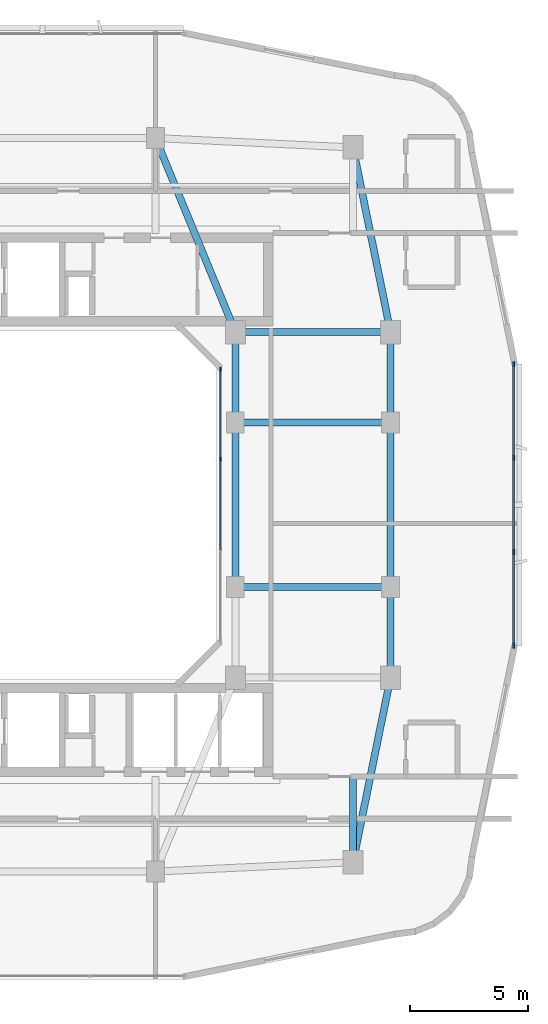
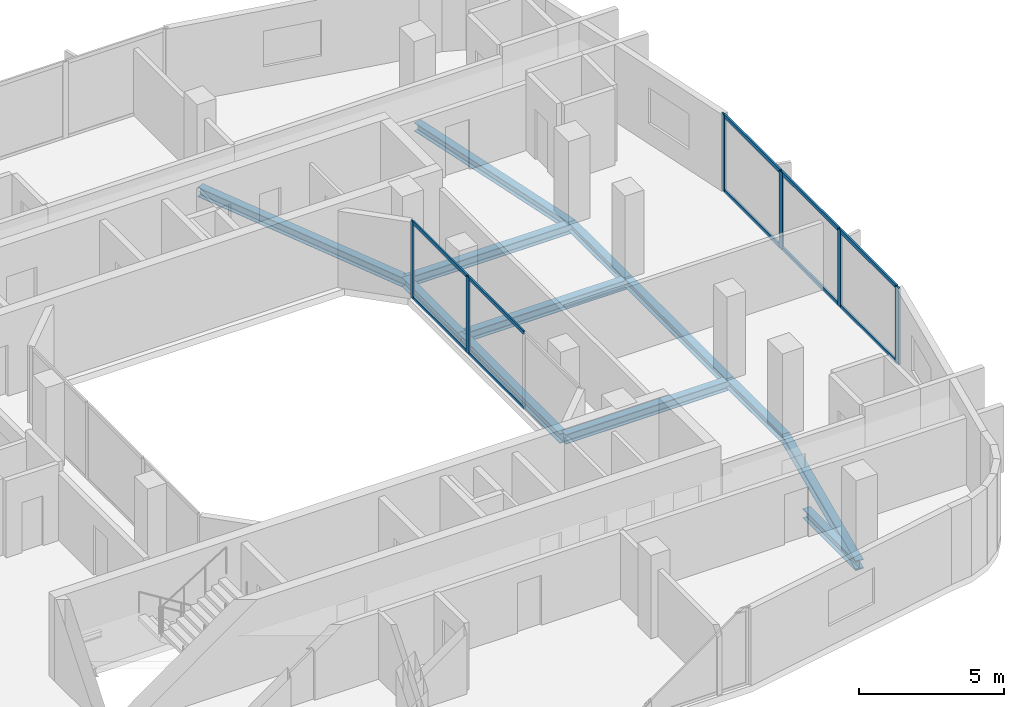
# One storey, part 4 of 14: 16 members, 12 beams, 2 elements without a shape of their own.
"""IFC4 building model written with IfcOpenShell, lengths in metres."""

from ifc_helpers import new_model, si_unit, derived_unit, direction, frame, origin, origin_2d, place, context, subcontext, project, spatial, rectangle, i_section, extrude, material, layer, layer_set, material_profile, profile_set, type_object, element, aggregate, save


model = new_model("IFC4")

# Units and contexts
model_context = context("Model", 3, precision=1e-05, world=origin(), true_north=direction((0.0, 1.0)))
body_context = subcontext(model_context, "Body", "Model", "MODEL_VIEW")
ifc_project = project(units=[si_unit("LENGTHUNIT", "METRE"), si_unit("AREAUNIT", "SQUARE_METRE"), si_unit("VOLUMEUNIT", "CUBIC_METRE"), si_unit("PLANEANGLEUNIT", "RADIAN"), si_unit("MASSUNIT", "GRAM", prefix="KILO"), derived_unit("THERMALTRANSMITTANCEUNIT", [(si_unit("POWERUNIT", "WATT"), 1), (si_unit("LENGTHUNIT", "METRE"), -2), (si_unit("THERMODYNAMICTEMPERATUREUNIT", "KELVIN"), -1)])], contexts=[model_context])

# Site, building, storey
site_placement = place(None, origin())
site = spatial("IfcSite", under=ifc_project, at=site_placement, CompositionType="ELEMENT")
building_placement = place(site_placement, origin())
building = spatial("IfcBuilding", under=site, at=building_placement, Name="Kivonza Crest Hotel", CompositionType="ELEMENT")
storey_placement = place(building_placement, frame((0.0, 0.0, 145.0)))
storey = spatial("IfcBuildingStorey", under=building, at=storey_placement, Name="L39", CompositionType="ELEMENT", Elevation=145.0)

# Beams
ifc_material_1 = material(Name="Steel S355", Category="steel")
ifc_material_profile_1 = material_profile(ifc_material_1, i_section(OverallWidth=0.300048828125, OverallDepth=0.360107421875, WebThickness=0.012451171875, FlangeThickness=0.0224609375, FilletRadius=0.027099609375, at=origin_2d()), Name="HEB 360")
ifc_profile_set_1 = profile_set([ifc_material_profile_1], Name="Steel S355")
beam_type_1 = type_object("IfcBeamType", Name="BM-HEB360", PredefinedType="SPANDREL", material=ifc_profile_set_1)
beam_1_placement = place(storey_placement, frame((34.199951171875, 9.800048828125, -0.4599609375), z_axis=(0.199730733965, 0.979850822273, 0.0), x_axis=(-0.979850822273, 0.199730733965, 0.0)))
element("IfcBeam", 1, at=beam_1_placement, inside=storey, type_object=beam_type_1, Name="Tower T1 L39 perimeter spandrel SE-PSE", PredefinedType="SPANDREL", context=body_context, shape_type="SweptSolid", body=[
    extrude(i_section(OverallWidth=0.300048828125, OverallDepth=0.360107421875, WebThickness=0.012451171875, FlangeThickness=0.0224609375, FilletRadius=0.027099609375, at=origin_2d()), origin(), (0.0, 0.0, 1.0), 8.01123046875),
])
beam_2_placement = place(storey_placement, frame((35.800048828125, 17.64990234375, -0.4599609375), z_axis=(0.0, 1.0, 0.0), x_axis=(-1.0, 0.0, 0.0)))
element("IfcBeam", 2, at=beam_2_placement, inside=storey, type_object=beam_type_1, Name="Tower T1 L39 perimeter spandrel PSE-E1", PredefinedType="SPANDREL", context=body_context, shape_type="SweptSolid", body=[
    extrude(i_section(OverallWidth=0.300048828125, OverallDepth=0.360107421875, WebThickness=0.012451171875, FlangeThickness=0.0224609375, FilletRadius=0.027099609375, at=origin_2d()), origin(), (0.0, 0.0, 1.0), 3.85009765625),
])
beam_3_placement = place(storey_placement, frame((35.800048828125, 21.5, -0.4599609375), z_axis=(0.0, 1.0, 0.0), x_axis=(-1.0, 0.0, 0.0)))
element("IfcBeam", 3, at=beam_3_placement, inside=storey, type_object=beam_type_1, Name="Tower T1 L39 perimeter spandrel E1-E2", PredefinedType="SPANDREL", context=body_context, shape_type="SweptSolid", body=[
    extrude(i_section(OverallWidth=0.300048828125, OverallDepth=0.360107421875, WebThickness=0.012451171875, FlangeThickness=0.0224609375, FilletRadius=0.027099609375, at=origin_2d()), origin(), (0.0, 0.0, 1.0), 7.0),
])
beam_4_placement = place(storey_placement, frame((35.800048828125, 28.5, -0.4599609375), z_axis=(0.0, 1.0, 0.0), x_axis=(-1.0, 0.0, 0.0)))
element("IfcBeam", 4, at=beam_4_placement, inside=storey, type_object=beam_type_1, Name="Tower T1 L39 perimeter spandrel E2-PNE", PredefinedType="SPANDREL", context=body_context, shape_type="SweptSolid", body=[
    extrude(i_section(OverallWidth=0.300048828125, OverallDepth=0.360107421875, WebThickness=0.012451171875, FlangeThickness=0.0224609375, FilletRadius=0.027099609375, at=origin_2d()), origin(), (0.0, 0.0, 1.0), 3.85009765625),
])
beam_5_placement = place(storey_placement, frame((35.800048828125, 32.35009765625, -0.4599609375), z_axis=(-0.199730733965, 0.979850822273, 0.0), x_axis=(-0.979850822273, -0.199730733965, 0.0)))
element("IfcBeam", 5, at=beam_5_placement, inside=storey, type_object=beam_type_1, Name="Tower T1 L39 perimeter spandrel PNE-NE", PredefinedType="SPANDREL", context=body_context, shape_type="SweptSolid", body=[
    extrude(i_section(OverallWidth=0.300048828125, OverallDepth=0.360107421875, WebThickness=0.012451171875, FlangeThickness=0.0224609375, FilletRadius=0.027099609375, at=origin_2d()), origin(), (0.0, 0.0, 1.0), 8.01123046875),
])
ifc_material_profile_2 = material_profile(ifc_material_1, i_section(OverallWidth=0.300048828125, OverallDepth=0.39990234375, WebThickness=0.013427734375, FlangeThickness=0.02392578125, FilletRadius=0.027099609375, at=origin_2d()), Name="HEB 400")
ifc_profile_set_2 = profile_set([ifc_material_profile_2], Name="Steel S355")
beam_type_2 = type_object("IfcBeamType", Name="BM-HEB400", PredefinedType="BEAM", material=ifc_profile_set_2)
beam_6_placement = place(storey_placement, frame((25.800048828125, 40.60009765625, -0.47998046875), z_axis=(0.381022260404, -0.924565864109, 0.0), x_axis=(0.924565864109, 0.381022260404, 0.0)))
element("IfcBeam", 6, at=beam_6_placement, inside=storey, type_object=beam_type_2, Name="Tower T1 L39 primary girder N1-TNE", PredefinedType="BEAM", context=body_context, shape_type="SweptSolid", body=[
    extrude(i_section(OverallWidth=0.300048828125, OverallDepth=0.39990234375, WebThickness=0.013427734375, FlangeThickness=0.02392578125, FilletRadius=0.027099609375, at=origin_2d()), origin(), (0.0, 0.0, 1.0), 8.923095703125),
])
beam_7_placement = place(storey_placement, frame((29.199951171875, 32.35009765625, -0.47998046875), z_axis=(1.0, 0.0, 0.0), x_axis=(0.0, 1.0, 0.0)))
element("IfcBeam", 7, at=beam_7_placement, inside=storey, type_object=beam_type_2, Name="Tower T1 L39 primary girder TNE-PNE", PredefinedType="BEAM", context=body_context, shape_type="SweptSolid", body=[
    extrude(i_section(OverallWidth=0.300048828125, OverallDepth=0.39990234375, WebThickness=0.013427734375, FlangeThickness=0.02392578125, FilletRadius=0.027099609375, at=origin_2d()), origin(), (0.0, 0.0, 1.0), 6.60009765625),
])
beam_8_placement = place(storey_placement, frame((29.199951171875, 21.5, -0.47998046875), z_axis=(0.0, 1.0, 0.0), x_axis=(-1.0, 0.0, 0.0)))
element("IfcBeam", 8, at=beam_8_placement, inside=storey, type_object=beam_type_2, Name="Tower T1 L39 primary girder WR1-WR2", PredefinedType="BEAM", context=body_context, shape_type="SweptSolid", body=[
    extrude(i_section(OverallWidth=0.300048828125, OverallDepth=0.39990234375, WebThickness=0.013427734375, FlangeThickness=0.02392578125, FilletRadius=0.027099609375, at=origin_2d()), origin(), (0.0, 0.0, 1.0), 7.0),
])
beam_9_placement = place(storey_placement, frame((29.199951171875, 28.5, -0.47998046875), z_axis=(0.0, 1.0, 0.0), x_axis=(-1.0, 0.0, 0.0)))
element("IfcBeam", 9, at=beam_9_placement, inside=storey, type_object=beam_type_2, Name="Tower T1 L39 primary girder WR2-TNE", PredefinedType="BEAM", context=body_context, shape_type="SweptSolid", body=[
    extrude(i_section(OverallWidth=0.300048828125, OverallDepth=0.39990234375, WebThickness=0.013427734375, FlangeThickness=0.02392578125, FilletRadius=0.027099609375, at=origin_2d()), origin(), (0.0, 0.0, 1.0), 3.85009765625),
])
for number, where, z_axis, x_axis, name in (
    (10, (29.199951171875, 21.5, -0.47998046875), (1.0, 0.0, 0.0), (0.0, 1.0, 0.0), "Tower T1 L39 primary girder WR1-E1"),
    (11, (29.199951171875, 28.5, -0.47998046875), (1.0, 0.0, 0.0), (0.0, 1.0, 0.0), "Tower T1 L39 primary girder WR2-E2"),
):
    element("IfcBeam", number, at=place(storey_placement, frame(where, z_axis=z_axis, x_axis=x_axis)), inside=storey, type_object=beam_type_2, Name=name, PredefinedType="BEAM", context=body_context, shape_type="SweptSolid", body=[
        extrude(i_section(OverallWidth=0.300048828125, OverallDepth=0.39990234375, WebThickness=0.013427734375, FlangeThickness=0.02392578125, FilletRadius=0.027099609375, at=origin_2d()), origin(), (0.0, 0.0, 1.0), 6.60009765625),
    ])
beam_10_placement = place(storey_placement, frame((34.199951171875, 9.800048828125, -0.47998046875), z_axis=(0.0, 1.0, 0.0), x_axis=(-1.0, 0.0, 0.0)))
element("IfcBeam", 12, at=beam_10_placement, inside=storey, type_object=beam_type_2, Name="Tower T1 L39 radial core girder RSE", PredefinedType="BEAM", context=body_context, shape_type="SweptSolid", body=[
    extrude(i_section(OverallWidth=0.300048828125, OverallDepth=0.39990234375, WebThickness=0.013427734375, FlangeThickness=0.02392578125, FilletRadius=0.027099609375, at=origin_2d()), origin(), (0.0, 0.0, 1.0), 3.64990234375),
])

# Curtain wall, members
ifc_material_2 = material(Name="Anodised bronze aluminium and low-E double glazing", Category="aluminium")
ifc_layer_1 = layer(ifc_material_2, 0.159912109375)
ifc_layer_set_1 = layer_set([ifc_layer_1], Name="Anodised bronze aluminium and low-E double glazing")
curtain_wall_type_1 = type_object("IfcCurtainWallType", Name="CW-SYS-5", PredefinedType="NOTDEFINED", material=ifc_layer_set_1)
curtain_wall_1_placement = place(storey_placement, origin())
curtain_wall_1 = element("IfcCurtainWall", 13, at=curtain_wall_1_placement, inside=storey, type_object=curtain_wall_type_1, Name="L39 unitised curtain wall CW-WELL-T1-L39-3", PredefinedType="NOTDEFINED")
ifc_material_3 = material(Name="Anodised bronze aluminium", Category="aluminium")
ifc_material_profile_3 = material_profile(ifc_material_3, rectangle(XDim=0.06494140625, YDim=0.179931640625, at=origin_2d()), Name="CW-M 65x180")
ifc_profile_set_3 = profile_set([ifc_material_profile_3], Name="Anodised bronze aluminium")
member_type_1 = type_object("IfcMemberType", Name="CW-MUL-65x180", PredefinedType="MULLION", material=ifc_profile_set_3)
member_1_placement = place(storey_placement, frame((28.56005859375, 26.933349609375, 0.0), z_axis=(0.0, 0.0, 1.0), x_axis=(-1.0, 0.0, 0.0)))
member_1 = element("IfcMember", 14, at=member_1_placement, type_object=member_type_1, Name="CW-5 mullion 3", PredefinedType="MULLION", context=body_context, shape_type="SweptSolid", body=[
    extrude(rectangle(XDim=0.06494140625, YDim=0.179931640625, at=origin_2d()), origin(), (0.0, 0.0, 1.0), 3.219970703125),
])
member_2_placement = place(storey_placement, frame((28.56005859375, 30.767578125, 0.0), z_axis=(0.0, 0.0, 1.0), x_axis=(-1.0, 0.0, 0.0)))
member_2 = element("IfcMember", 15, at=member_2_placement, type_object=member_type_1, Name="CW-5 mullion 4", PredefinedType="MULLION", context=body_context, shape_type="SweptSolid", body=[
    extrude(rectangle(XDim=0.06494140625, YDim=0.179931640625, at=origin_2d()), origin(), (0.0, 0.0, 1.0), 3.219970703125),
])

ifc_layer_2 = layer(ifc_material_2, 0.179931640625)
ifc_layer_set_2 = layer_set([ifc_layer_2], Name="Anodised bronze aluminium and low-E double glazing")
curtain_wall_type_2 = type_object("IfcCurtainWallType", Name="CW-SYS-3", PredefinedType="NOTDEFINED", material=ifc_layer_set_2)
curtain_wall_2_placement = place(storey_placement, origin())
curtain_wall_2 = element("IfcCurtainWall", 16, at=curtain_wall_2_placement, inside=storey, type_object=curtain_wall_type_2, Name="L39 unitised curtain wall CW-T1-L39-17", PredefinedType="NOTDEFINED")
ifc_material_profile_4 = material_profile(ifc_material_3, rectangle(XDim=0.074951171875, YDim=0.219970703125, at=origin_2d()), Name="CW-M 75x220")
ifc_profile_set_4 = profile_set([ifc_material_profile_4], Name="Anodised bronze aluminium")
member_type_2 = type_object("IfcMemberType", Name="CW-MUL-75x220", PredefinedType="MULLION", material=ifc_profile_set_4)
member_3_placement = place(storey_placement, frame((41.0400390625, 19.017578125, 0.0), z_axis=(0.0, 0.0, 1.0), x_axis=(-1.0, 0.0, 0.0)))
member_3 = element("IfcMember", 17, at=member_3_placement, type_object=member_type_2, Name="CW-3 mullion 1", PredefinedType="MULLION", context=body_context, shape_type="SweptSolid", body=[
    extrude(rectangle(XDim=0.074951171875, YDim=0.219970703125, at=origin_2d()), origin(), (0.0, 0.0, 1.0), 3.219970703125),
])
member_4_placement = place(storey_placement, frame((41.0400390625, 22.993408203125, 0.0), z_axis=(0.0, 0.0, 1.0), x_axis=(-1.0, 0.0, 0.0)))
member_4 = element("IfcMember", 18, at=member_4_placement, type_object=member_type_2, Name="CW-3 mullion 2", PredefinedType="MULLION", context=body_context, shape_type="SweptSolid", body=[
    extrude(rectangle(XDim=0.074951171875, YDim=0.219970703125, at=origin_2d()), origin(), (0.0, 0.0, 1.0), 3.219970703125),
])
member_5_placement = place(storey_placement, frame((41.0400390625, 27.006591796875, 0.0), z_axis=(0.0, 0.0, 1.0), x_axis=(-1.0, 0.0, 0.0)))
member_5 = element("IfcMember", 19, at=member_5_placement, type_object=member_type_2, Name="CW-3 mullion 3", PredefinedType="MULLION", context=body_context, shape_type="SweptSolid", body=[
    extrude(rectangle(XDim=0.074951171875, YDim=0.219970703125, at=origin_2d()), origin(), (0.0, 0.0, 1.0), 3.219970703125),
])
member_6_placement = place(storey_placement, frame((41.0400390625, 30.982421875, 0.0), z_axis=(0.0, 0.0, 1.0), x_axis=(-1.0, 0.0, 0.0)))
member_6 = element("IfcMember", 20, at=member_6_placement, type_object=member_type_2, Name="CW-3 mullion 4", PredefinedType="MULLION", context=body_context, shape_type="SweptSolid", body=[
    extrude(rectangle(XDim=0.074951171875, YDim=0.219970703125, at=origin_2d()), origin(), (0.0, 0.0, 1.0), 3.219970703125),
])

# Member
ifc_material_profile_5 = material_profile(ifc_material_3, rectangle(XDim=0.06494140625, YDim=0.139892578125, at=origin_2d()), Name="CW-T 65x140")
ifc_profile_set_5 = profile_set([ifc_material_profile_5], Name="Anodised bronze aluminium")
member_type_3 = type_object("IfcMemberType", Name="CW-TRN-65x140", PredefinedType="USERDEFINED", material=ifc_profile_set_5)
member_7_placement = place(storey_placement, frame((28.56005859375, 23.09912109375, 0.032470703125), z_axis=(0.0, 1.0, 0.0), x_axis=(-1.0, 0.0, 0.0)))
member_7 = element("IfcMember", 21, at=member_7_placement, type_object=member_type_3, Name="CW-5 transom 2.1", ObjectType="TRANSOM", PredefinedType="USERDEFINED", context=body_context, shape_type="SweptSolid", body=[
    extrude(rectangle(XDim=0.06494140625, YDim=0.139892578125, at=origin_2d()), origin(), (0.0, 0.0, 1.0), 3.8017578125),
])

member_8_placement = place(storey_placement, frame((28.56005859375, 23.09912109375, 3.1875), z_axis=(0.0, 1.0, 0.0), x_axis=(-1.0, 0.0, 0.0)))
member_8 = element("IfcMember", 22, at=member_8_placement, type_object=member_type_3, Name="CW-5 transom 2.2", ObjectType="TRANSOM", PredefinedType="USERDEFINED", context=body_context, shape_type="SweptSolid", body=[
    extrude(rectangle(XDim=0.06494140625, YDim=0.139892578125, at=origin_2d()), origin(), (0.0, 0.0, 1.0), 3.8017578125),
])

member_9_placement = place(storey_placement, frame((28.56005859375, 26.9658203125, 0.032470703125), z_axis=(0.0, 1.0, 0.0), x_axis=(-1.0, 0.0, 0.0)))
member_9 = element("IfcMember", 23, at=member_9_placement, type_object=member_type_3, Name="CW-5 transom 3.1", ObjectType="TRANSOM", PredefinedType="USERDEFINED", context=body_context, shape_type="SweptSolid", body=[
    extrude(rectangle(XDim=0.06494140625, YDim=0.139892578125, at=origin_2d()), origin(), (0.0, 0.0, 1.0), 3.769287109375),
])

member_10_placement = place(storey_placement, frame((28.56005859375, 26.9658203125, 3.1875), z_axis=(0.0, 1.0, 0.0), x_axis=(-1.0, 0.0, 0.0)))
member_10 = element("IfcMember", 24, at=member_10_placement, type_object=member_type_3, Name="CW-5 transom 3.2", ObjectType="TRANSOM", PredefinedType="USERDEFINED", context=body_context, shape_type="SweptSolid", body=[
    extrude(rectangle(XDim=0.06494140625, YDim=0.139892578125, at=origin_2d()), origin(), (0.0, 0.0, 1.0), 3.769287109375),
])

aggregate(curtain_wall_1, [member_1, member_2, member_7, member_8, member_9, member_10])

ifc_material_profile_6 = material_profile(ifc_material_3, rectangle(XDim=0.074951171875, YDim=0.159912109375, at=origin_2d()), Name="CW-T 75x160")
ifc_profile_set_6 = profile_set([ifc_material_profile_6], Name="Anodised bronze aluminium")
member_type_4 = type_object("IfcMemberType", Name="CW-TRN-75x160", PredefinedType="USERDEFINED", material=ifc_profile_set_6)
member_11_placement = place(storey_placement, frame((41.0400390625, 19.054931640625, 0.03759765625), z_axis=(0.0, 1.0, 0.0), x_axis=(-1.0, 0.0, 0.0)))
member_11 = element("IfcMember", 25, at=member_11_placement, type_object=member_type_4, Name="CW-3 transom 1.1", ObjectType="TRANSOM", PredefinedType="USERDEFINED", context=body_context, shape_type="SweptSolid", body=[
    extrude(rectangle(XDim=0.074951171875, YDim=0.159912109375, at=origin_2d()), origin(), (0.0, 0.0, 1.0), 3.90087890625),
])

member_12_placement = place(storey_placement, frame((41.0400390625, 19.054931640625, 3.1826171875), z_axis=(0.0, 1.0, 0.0), x_axis=(-1.0, 0.0, 0.0)))
member_12 = element("IfcMember", 26, at=member_12_placement, type_object=member_type_4, Name="CW-3 transom 1.2", ObjectType="TRANSOM", PredefinedType="USERDEFINED", context=body_context, shape_type="SweptSolid", body=[
    extrude(rectangle(XDim=0.074951171875, YDim=0.159912109375, at=origin_2d()), origin(), (0.0, 0.0, 1.0), 3.90087890625),
])

member_13_placement = place(storey_placement, frame((41.0400390625, 23.03076171875, 0.03759765625), z_axis=(0.0, 1.0, 0.0), x_axis=(-1.0, 0.0, 0.0)))
member_13 = element("IfcMember", 27, at=member_13_placement, type_object=member_type_4, Name="CW-3 transom 2.1", ObjectType="TRANSOM", PredefinedType="USERDEFINED", context=body_context, shape_type="SweptSolid", body=[
    extrude(rectangle(XDim=0.074951171875, YDim=0.159912109375, at=origin_2d()), origin(), (0.0, 0.0, 1.0), 3.9384765625),
])

member_14_placement = place(storey_placement, frame((41.0400390625, 23.03076171875, 3.1826171875), z_axis=(0.0, 1.0, 0.0), x_axis=(-1.0, 0.0, 0.0)))
member_14 = element("IfcMember", 28, at=member_14_placement, type_object=member_type_4, Name="CW-3 transom 2.2", ObjectType="TRANSOM", PredefinedType="USERDEFINED", context=body_context, shape_type="SweptSolid", body=[
    extrude(rectangle(XDim=0.074951171875, YDim=0.159912109375, at=origin_2d()), origin(), (0.0, 0.0, 1.0), 3.9384765625),
])

member_15_placement = place(storey_placement, frame((41.0400390625, 27.044189453125, 0.03759765625), z_axis=(0.0, 1.0, 0.0), x_axis=(-1.0, 0.0, 0.0)))
member_15 = element("IfcMember", 29, at=member_15_placement, type_object=member_type_4, Name="CW-3 transom 3.1", ObjectType="TRANSOM", PredefinedType="USERDEFINED", context=body_context, shape_type="SweptSolid", body=[
    extrude(rectangle(XDim=0.074951171875, YDim=0.159912109375, at=origin_2d()), origin(), (0.0, 0.0, 1.0), 3.90087890625),
])

member_16_placement = place(storey_placement, frame((41.0400390625, 27.044189453125, 3.1826171875), z_axis=(0.0, 1.0, 0.0), x_axis=(-1.0, 0.0, 0.0)))
member_16 = element("IfcMember", 30, at=member_16_placement, type_object=member_type_4, Name="CW-3 transom 3.2", ObjectType="TRANSOM", PredefinedType="USERDEFINED", context=body_context, shape_type="SweptSolid", body=[
    extrude(rectangle(XDim=0.074951171875, YDim=0.159912109375, at=origin_2d()), origin(), (0.0, 0.0, 1.0), 3.90087890625),
])

aggregate(curtain_wall_2, [member_3, member_4, member_5, member_6, member_11, member_12, member_13, member_14, member_15, member_16])

save(model, "model.ifc")
